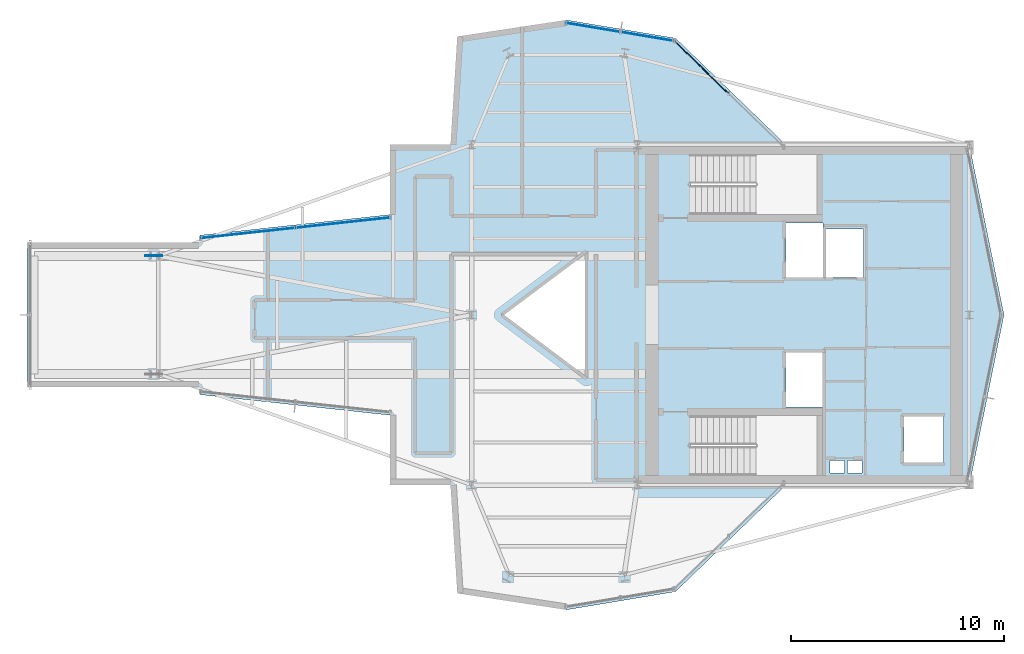
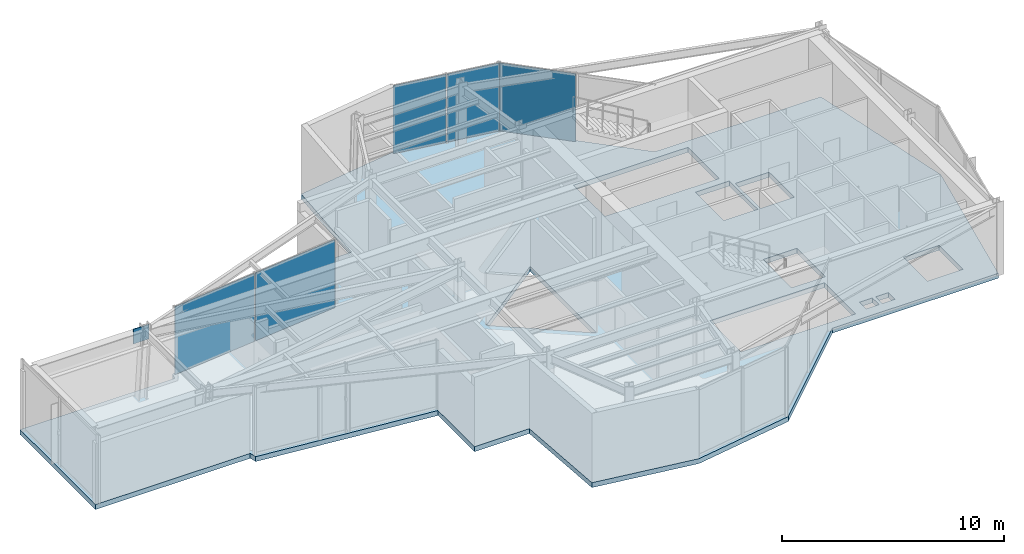
# One storey, part 11 of 18: 6 plates, 1 slab, 3 elements without a shape of their own.
"""IFC4 building model written with IfcOpenShell, lengths in metres."""

from ifc_helpers import new_model, si_unit, direction, frame, origin, origin_2d, place, context, subcontext, project, spatial, polyline, rectangle, outline, extrude, material, layer, layer_set, type_object, element, aggregate, save


model = new_model("IFC4")

# Units and contexts
model_context = context("Model", 3, precision=1e-05, world=origin(), true_north=direction((0.0, 1.0)))
body_context = subcontext(model_context, "Body", "Model", "MODEL_VIEW")
ifc_project = project(units=[si_unit("LENGTHUNIT", "METRE"), si_unit("AREAUNIT", "SQUARE_METRE"), si_unit("VOLUMEUNIT", "CUBIC_METRE"), si_unit("PLANEANGLEUNIT", "RADIAN"), si_unit("MASSUNIT", "GRAM", prefix="KILO")], contexts=[model_context])

# Site, building, storey
site_placement = place(None, origin())
site = spatial("IfcSite", under=ifc_project, at=site_placement, CompositionType="ELEMENT")
building_placement = place(site_placement, origin())
building = spatial("IfcBuilding", under=site, at=building_placement, Name="Veymaron Broadcast Tower", CompositionType="ELEMENT")
storey_placement = place(building_placement, frame((0.0, 0.0, 319.5)))
storey = spatial("IfcBuildingStorey", under=building, at=storey_placement, Name="L75", CompositionType="ELEMENT", Elevation=319.5)

# Curtain wall, plate
ifc_material_1 = material(Name="Anodised aluminium AA 6063-T6 and laminated low-E dark glass", Category="aluminium")
ifc_layer_1 = layer(ifc_material_1, 0.179931640625)
ifc_layer_set_1 = layer_set([ifc_layer_1], Name="Anodised aluminium AA 6063-T6 and laminated low-E dark glass")
curtain_wall_type = type_object("IfcCurtainWallType", Name="CW-SYS-07", PredefinedType="NOTDEFINED", material=ifc_layer_set_1)
curtain_wall_1_placement = place(storey_placement, origin())
curtain_wall_1 = element("IfcCurtainWall", 1, at=curtain_wall_1_placement, inside=storey, type_object=curtain_wall_type, Name="L75 dark-glass curtain wall CW-L75-E13-1", PredefinedType="NOTDEFINED")
ifc_material_2 = material(Name="Triple-laminated solar-control dark glass IGU 36 mm", Category="glass")
ifc_layer_2 = layer(ifc_material_2, 0.035888671875)
ifc_layer_set_2 = layer_set([ifc_layer_2], Name="Triple-laminated solar-control dark glass IGU 36 mm")
plate_type_1 = type_object("IfcPlateType", Name="CW-PNL-01", PredefinedType="CURTAIN_PANEL", material=ifc_layer_set_2)
plate_1_placement = place(storey_placement, frame((41.985595703125, 35.65771484375, 0.0400390625), z_axis=(0.0, 0.0, 1.0), x_axis=(-0.719097275004, 0.694909425092, 0.0)))
plate_1 = element("IfcPlate", 2, at=plate_1_placement, type_object=plate_type_1, Name="CW-L75-E13-1 unitised curtain panel 1", PredefinedType="CURTAIN_PANEL", context=body_context, shape_type="SweptSolid", body=[
    extrude(rectangle(XDim=3.545654296875, YDim=0.035888671875, at=origin_2d()), origin(), (0.0, 0.0, 1.0), 3.72998046875),
])
aggregate(curtain_wall_1, [plate_1])

# Curtain wall, plates
curtain_wall_2_placement = place(storey_placement, origin())
curtain_wall_2 = element("IfcCurtainWall", 3, at=curtain_wall_2_placement, inside=storey, type_object=curtain_wall_type, Name="L75 dark-glass curtain wall CW-L75-E14-1", PredefinedType="NOTDEFINED")
plate_2_placement = place(storey_placement, frame((39.481201171875, 37.08642578125, 0.0400390625), z_axis=(0.0, 0.0, 1.0), x_axis=(-0.986434987778, 0.164152413592, 0.0)))
plate_2 = element("IfcPlate", 4, at=plate_2_placement, type_object=plate_type_1, Name="CW-L75-E14-1 unitised curtain panel 0", PredefinedType="CURTAIN_PANEL", context=body_context, shape_type="SweptSolid", body=[
    extrude(rectangle(XDim=2.5400390625, YDim=0.035888671875, at=origin_2d()), origin(), (0.0, 0.0, 1.0), 3.72998046875),
])
plate_3_placement = place(storey_placement, frame((36.916259765625, 37.51318359375, 0.0400390625), z_axis=(0.0, 0.0, 1.0), x_axis=(-0.986434987778, 0.164152413592, 0.0)))
plate_3 = element("IfcPlate", 5, at=plate_3_placement, type_object=plate_type_1, Name="CW-L75-E14-1 unitised curtain panel 1", PredefinedType="CURTAIN_PANEL", context=body_context, shape_type="SweptSolid", body=[
    extrude(rectangle(XDim=2.5400390625, YDim=0.035888671875, at=origin_2d()), origin(), (0.0, 0.0, 1.0), 3.72998046875),
])
aggregate(curtain_wall_2, [plate_2, plate_3])

curtain_wall_3_placement = place(storey_placement, origin())
curtain_wall_3 = element("IfcCurtainWall", 6, at=curtain_wall_3_placement, inside=storey, type_object=curtain_wall_type, Name="L75 dark-glass curtain wall CW-L75-E19-1", PredefinedType="NOTDEFINED")
plate_4_placement = place(storey_placement, frame((25.143798828125, 28.334716796875, 0.0400390625), z_axis=(0.0, 0.0, 1.0), x_axis=(-0.9941735615, -0.107791138848, 0.0)))
plate_4 = element("IfcPlate", 7, at=plate_4_placement, type_object=plate_type_1, Name="CW-L75-E19-1 unitised curtain panel 0", PredefinedType="CURTAIN_PANEL", context=body_context, shape_type="SweptSolid", body=[
    extrude(rectangle(XDim=4.42529296875, YDim=0.035888671875, at=origin_2d()), origin(), (0.0, 0.0, 1.0), 3.72998046875),
])
plate_5_placement = place(storey_placement, frame((20.684814453125, 27.85107421875, 0.0400390625), z_axis=(0.0, 0.0, 1.0), x_axis=(-0.9941735615, -0.107791138848, 0.0)))
plate_5 = element("IfcPlate", 8, at=plate_5_placement, type_object=plate_type_1, Name="CW-L75-E19-1 unitised curtain panel 1", PredefinedType="CURTAIN_PANEL", context=body_context, shape_type="SweptSolid", body=[
    extrude(rectangle(XDim=4.42529296875, YDim=0.035888671875, at=origin_2d()), origin(), (0.0, 0.0, 1.0), 3.72998046875),
])
aggregate(curtain_wall_3, [plate_4, plate_5])

# Plate
ifc_material_3 = material(Name="Structural steel ASTM A913 Gr 65", Category="steel")
ifc_layer_3 = layer(ifc_material_3, 0.044921875)
ifc_layer_set_3 = layer_set([ifc_layer_3], Name="Structural steel ASTM A913 Gr 65")
plate_type_2 = type_object("IfcPlateType", Name="PLT-NODE-ON1", PredefinedType="SHEET", material=ifc_layer_set_3)
plate_6_placement = place(storey_placement, frame((16.24560546875, 26.7880859375, 3.14990234375), z_axis=(0.0, 0.0, 1.0), x_axis=(1.0, 0.0, 0.0)))
element("IfcPlate", 9, at=plate_6_placement, inside=storey, type_object=plate_type_2, Name="L75 Cantilever column gusset node ON1 N", PredefinedType="SHEET", context=body_context, shape_type="SweptSolid", body=[
    extrude(rectangle(XDim=0.800048828125, YDim=0.044921875, at=origin_2d()), origin(), (0.0, 0.0, 1.0), 0.800048828125),
])

# Slab
ifc_material_4 = material(Name="Concrete C40/50", Category="concrete")
ifc_layer_4 = layer(ifc_material_4, 0.27001953125)
ifc_layer_set_4 = layer_set([ifc_layer_4], Name="Concrete C40/50")
slab_type = type_object("IfcSlabType", Name="SLAB-FS4", PredefinedType="FLOOR", material=ifc_layer_set_4)
slab_placement = place(storey_placement, frame((0.0, 0.0, -0.27001953125)))
element("IfcSlab", 10, at=slab_placement, inside=storey, type_object=slab_type, Name="L75 structural floor slab", PredefinedType="FLOOR", context=body_context, shape_type="SweptSolid", body=[
    extrude(outline(polyline([(18.353515625, 20.60009765625), (18.43994140625, 20.25146484375), (27.3583984375, 19.284423828125), (27.3583984375, 16.0), (30.20849609375, 16.0), (30.527099609375, 10.9111328125), (35.65673828125, 10.13525390625), (40.78662109375, 10.98876953125), (45.97216796875, 16.0), (54.60009765625, 16.0), (56.2294921875, 24.0), (54.60009765625, 32.0), (45.97216796875, 32.0), (40.78662109375, 37.01123046875), (35.65673828125, 37.86474609375), (30.527099609375, 37.0888671875), (30.20849609375, 32.0), (27.3583984375, 32.0), (27.3583984375, 28.715576171875), (18.43994140625, 27.74853515625), (18.353515625, 27.39990234375), (10.308837890625, 27.39990234375), (10.308837890625, 20.60009765625), (18.353515625, 20.60009765625)]), holes=[polyline([(45.969970703125, 28.330078125), (47.72998046875, 28.330078125), (47.72998046875, 25.77001953125), (45.969970703125, 25.77001953125), (45.969970703125, 28.330078125)]), polyline([(45.969970703125, 22.22998046875), (47.72998046875, 22.22998046875), (47.72998046875, 19.669921875), (45.969970703125, 19.669921875), (45.969970703125, 22.22998046875)]), polyline([(47.8701171875, 28.030029296875), (49.6298828125, 28.030029296875), (49.6298828125, 25.77001953125), (47.8701171875, 25.77001953125), (47.8701171875, 28.030029296875)]), polyline([(51.52001953125, 19.22998046875), (53.3798828125, 19.22998046875), (53.3798828125, 17.070068359375), (51.52001953125, 17.070068359375), (51.52001953125, 19.22998046875)]), polyline([(48.050048828125, 17.159912109375), (48.719970703125, 17.159912109375), (48.719970703125, 16.56005859375), (48.050048828125, 16.56005859375), (48.050048828125, 17.159912109375)]), polyline([(48.8798828125, 17.159912109375), (49.550048828125, 17.159912109375), (49.550048828125, 16.56005859375), (48.8798828125, 16.56005859375), (48.8798828125, 17.159912109375)]), polyline([(36.60009765625, 27.0), (36.60009765625, 21.0), (32.60009765625, 24.0), (36.60009765625, 27.0)]), polyline([(41.489990234375, 31.550048828125), (47.43994140625, 31.550048828125), (47.43994140625, 28.72998046875), (41.489990234375, 28.72998046875), (41.489990234375, 31.550048828125)]), polyline([(41.489990234375, 19.27001953125), (47.43994140625, 19.27001953125), (47.43994140625, 16.449951171875), (41.489990234375, 16.449951171875), (41.489990234375, 19.27001953125)])]), origin(), (0.0, 0.0, 1.0), 0.27001953125),
])

save(model, "model.ifc")
